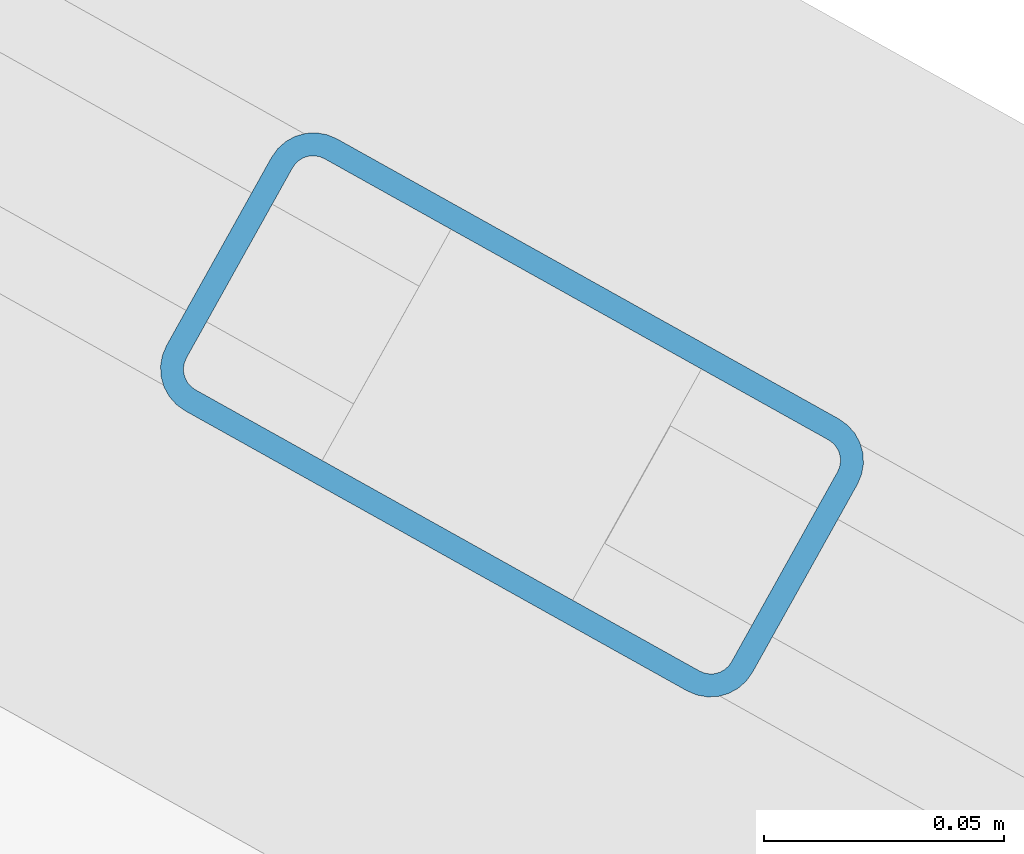
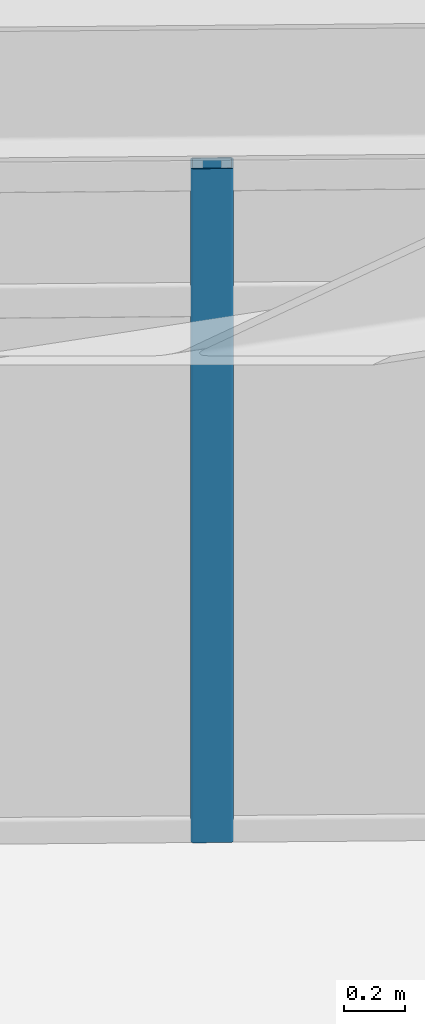
# One storey, part 15 of 25: 1 member, 1 element without a shape of its own.
"""IFC4 building model written with IfcOpenShell, lengths in metres."""

from ifc_helpers import new_model, si_unit, direction, frame, origin, origin_2d, place, context, subcontext, project, spatial, hollow_rectangle, extrude, material, layer, layer_set, material_profile, profile_set, type_object, element, aggregate, save


model = new_model("IFC4")

# Units and contexts
model_context = context("Model", 3, precision=1e-05, world=origin(), true_north=direction((0.0, 1.0)))
body_context = subcontext(model_context, "Body", "Model", "MODEL_VIEW")
ifc_project = project(units=[si_unit("LENGTHUNIT", "METRE"), si_unit("AREAUNIT", "SQUARE_METRE"), si_unit("VOLUMEUNIT", "CUBIC_METRE"), si_unit("PLANEANGLEUNIT", "RADIAN"), si_unit("MASSUNIT", "GRAM", prefix="KILO")], contexts=[model_context])

# Site, building, storey
site_placement = place(None, origin())
site = spatial("IfcSite", under=ifc_project, at=site_placement, CompositionType="ELEMENT")
building_placement = place(site_placement, origin())
building = spatial("IfcBuilding", under=site, at=building_placement, Name="Soratama Intermodal Tower", CompositionType="ELEMENT")
storey_placement = place(building_placement, frame((0.0, 0.0, 190.60009765625)))
storey = spatial("IfcBuildingStorey", under=building, at=storey_placement, Name="L47", CompositionType="ELEMENT", Elevation=190.60009765625)

# Curtain wall, member
ifc_material_1 = material(Name="Double-glazed aluminium curtain wall", Category="aluminium")
ifc_layer = layer(ifc_material_1, 0.159912109375)
ifc_layer_set = layer_set([ifc_layer], Name="Double-glazed aluminium curtain wall")
curtain_wall_type = type_object("IfcCurtainWallType", Name="CW-SYS-5", PredefinedType="NOTDEFINED", material=ifc_layer_set)
curtain_wall_placement = place(storey_placement, origin())
curtain_wall = element("IfcCurtainWall", 1, at=curtain_wall_placement, inside=storey, type_object=curtain_wall_type, Name="L47 Faceted Curtain Wall F01", PredefinedType="NOTDEFINED")
ifc_material_2 = material(Name="Anodised aluminium AA 6063-T6", Category="aluminium")
ifc_material_profile = material_profile(ifc_material_2, hollow_rectangle(XDim=0.06494140625, YDim=0.139892578125, WallThickness=0.0048828125, InnerFilletRadius=0.0048828125, OuterFilletRadius=0.010009765625, at=origin_2d()), Name="CWM140X65X5")
ifc_profile_set = profile_set([ifc_material_profile], Name="Anodised aluminium AA 6063-T6")
member_type = type_object("IfcMemberType", Name="MT-CWM-5", PredefinedType="MULLION", material=ifc_profile_set)
member_placement = place(storey_placement, frame((54.37353515625, 41.799560546875, 0.0), z_axis=(0.0, 0.0, 1.0), x_axis=(-0.487252946599, -0.873260880855, 0.0)))
member = element("IfcMember", 2, at=member_placement, type_object=member_type, Name="CW-5 mullion 2", PredefinedType="MULLION", context=body_context, shape_type="SweptSolid", body=[
    extrude(hollow_rectangle(XDim=0.06494140625, YDim=0.139892578125, WallThickness=0.0048828125, InnerFilletRadius=0.0048828125, OuterFilletRadius=0.010009765625, at=origin_2d()), origin(), (0.0, 0.0, 1.0), 2.678955078125),
])
aggregate(curtain_wall, [member])

save(model, "model.ifc")
